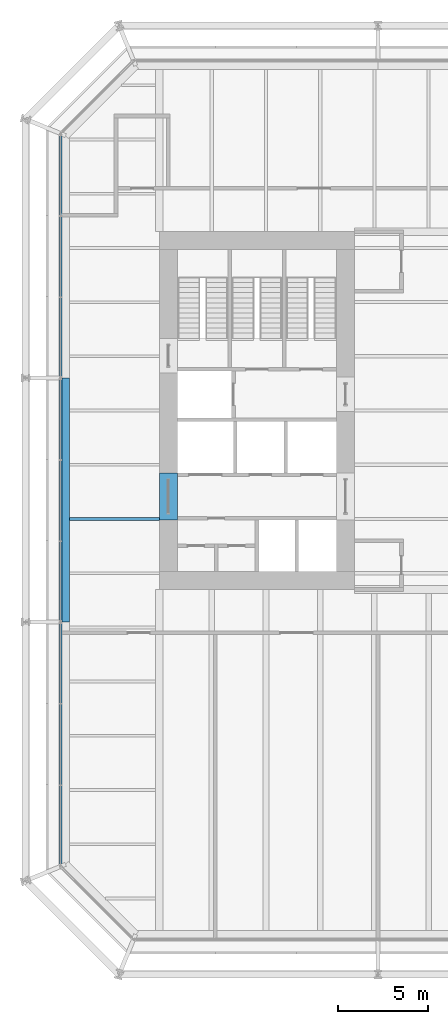
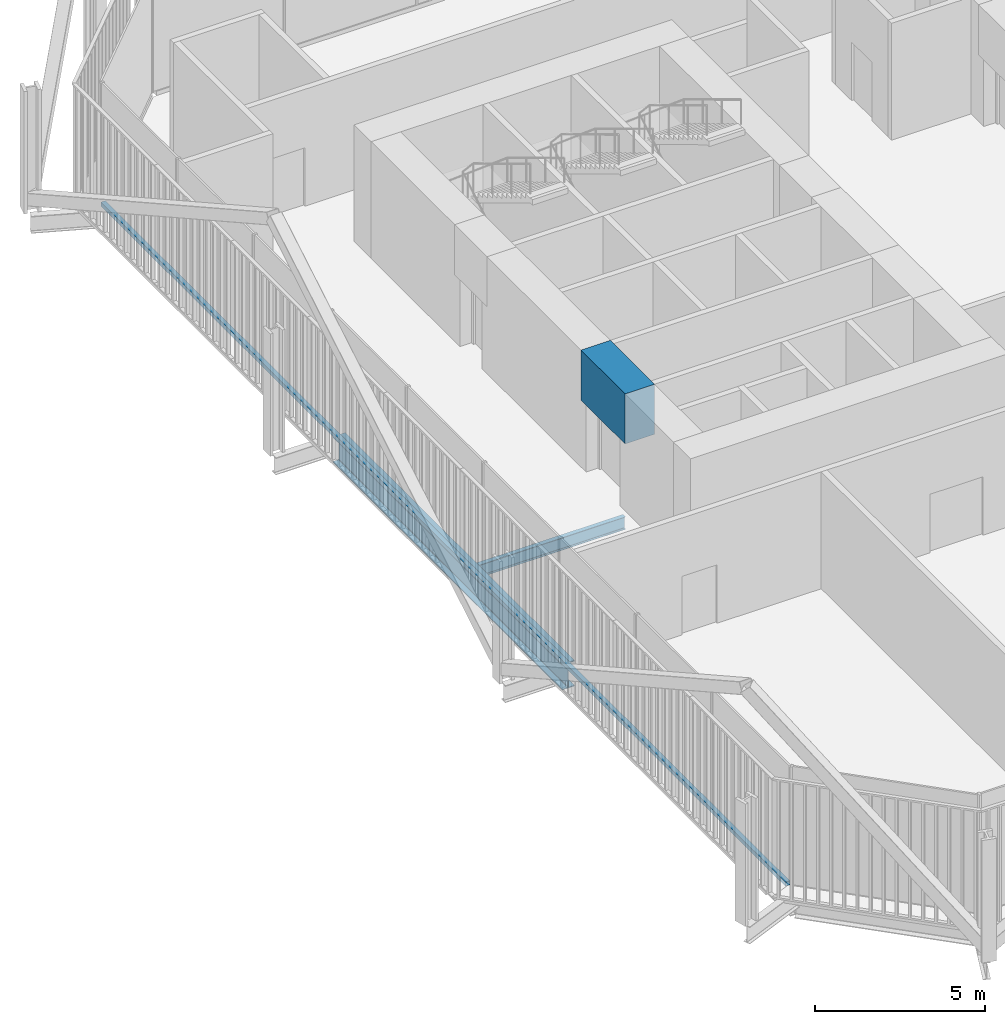
# One storey, part 6 of 21: 3 beams, 1 member, 1 element without a shape of its own.
"""IFC4 building model written with IfcOpenShell, lengths in metres."""

from ifc_helpers import new_model, si_unit, direction, frame, origin, origin_2d, place, context, subcontext, project, spatial, rectangle, i_section, extrude, material, layer, layer_set, material_profile, profile_set, type_object, element, aggregate, save


model = new_model("IFC4")

# Units and contexts
model_context = context("Model", 3, precision=1e-05, world=origin(), true_north=direction((0.0, 1.0)))
body_context = subcontext(model_context, "Body", "Model", "MODEL_VIEW")
ifc_project = project(units=[si_unit("LENGTHUNIT", "METRE"), si_unit("AREAUNIT", "SQUARE_METRE"), si_unit("VOLUMEUNIT", "CUBIC_METRE"), si_unit("PLANEANGLEUNIT", "RADIAN"), si_unit("MASSUNIT", "GRAM", prefix="KILO")], contexts=[model_context])

# Site, building, storey
site_placement = place(None, origin())
site = spatial("IfcSite", under=ifc_project, at=site_placement, CompositionType="ELEMENT")
building_placement = place(site_placement, origin())
building = spatial("IfcBuilding", under=site, at=building_placement, Name="Millrace Tower", CompositionType="ELEMENT")
storey_placement = place(building_placement, frame((0.0, 0.0, 104.0)))
storey = spatial("IfcBuildingStorey", under=building, at=storey_placement, Name="L23", CompositionType="ELEMENT", Elevation=104.0)

# Curtain wall, member
ifc_material_1 = material(Name="Aluminium and glass", Category="aluminium")
ifc_layer = layer(ifc_material_1, 0.14990234375)
ifc_layer_set = layer_set([ifc_layer], Name="Aluminium and glass")
curtain_wall_type = type_object("IfcCurtainWallType", Name="CW-3 telecom floor curtain wall", PredefinedType="NOTDEFINED", material=ifc_layer_set)
curtain_wall_placement = place(storey_placement, origin())
curtain_wall = element("IfcCurtainWall", 1, at=curtain_wall_placement, inside=storey, type_object=curtain_wall_type, Name="Curtain wall B-F08 L23", PredefinedType="NOTDEFINED")
ifc_material_2 = material(Name="Aluminium", Category="aluminium")
ifc_material_profile_1 = material_profile(ifc_material_2, rectangle(XDim=0.14990234375, YDim=0.14990234375, at=origin_2d()))
ifc_profile_set_1 = profile_set([ifc_material_profile_1], Name="Aluminium")
member_type = type_object("IfcMemberType", Name="CW-3 telecom floor curtain wall transom", PredefinedType="USERDEFINED", material=ifc_profile_set_1)
member_placement = place(storey_placement, frame((-20.375, 15.199951171875, 0.074951171875), z_axis=(0.0, -1.0, 0.0), x_axis=(1.0, 0.0, 0.0)))
member = element("IfcMember", 2, at=member_placement, type_object=member_type, Name="CW3 transom B-F08.1", ObjectType="TRANSOM", PredefinedType="USERDEFINED", context=body_context, shape_type="SweptSolid", body=[
    extrude(rectangle(XDim=0.14990234375, YDim=0.14990234375, at=origin_2d()), origin(), (0.0, 0.0, 1.0), 40.300048828125),
])
aggregate(curtain_wall, [member])

# Beams
ifc_material_3 = material(Name="Concrete C80", Category="concrete")
ifc_material_profile_2 = material_profile(ifc_material_3, rectangle(XDim=1.0, YDim=1.800048828125, at=origin_2d()))
ifc_profile_set_2 = profile_set([ifc_material_profile_2], Name="Concrete C80")
beam_type_1 = type_object("IfcBeamType", Name="Coupling beam 1000 x 1800 Concrete C80, 2000 opening", PredefinedType="BEAM", material=ifc_profile_set_2)
beam_1_placement = place(storey_placement, frame((-14.39990234375, -6.050048828125, 3.300048828125), z_axis=(0.0, 1.0, 0.0), x_axis=(-1.0, 0.0, 0.0)))
element("IfcBeam", 3, at=beam_1_placement, inside=storey, type_object=beam_type_1, Name="Coupling beam W L23", PredefinedType="BEAM", context=body_context, shape_type="SweptSolid", body=[
    extrude(rectangle(XDim=1.0, YDim=1.800048828125, at=origin_2d()), origin(), (0.0, 0.0, 1.0), 2.60009765625),
])
ifc_material_4 = material(Name="Steel ASTM A992 Grade 50", Category="steel")
ifc_material_profile_3 = material_profile(ifc_material_4, i_section(OverallWidth=0.15234375, OverallDepth=0.449462890625, WebThickness=0.007568359375, FlangeThickness=0.0107421875, FilletRadius=0.01025390625, at=origin_2d()))
ifc_profile_set_3 = profile_set([ifc_material_profile_3], Name="Steel ASTM A992 Grade 50")
beam_type_2 = type_object("IfcBeamType", Name="Floor beam W18x35", PredefinedType="JOIST", material=ifc_profile_set_3)
beam_2_placement = place(storey_placement, frame((-19.880859375, -6.0, -0.4248046875), z_axis=(1.0, 0.0, 0.0), x_axis=(0.0, 1.0, 0.0)))
element("IfcBeam", 4, at=beam_2_placement, inside=storey, type_object=beam_type_2, Name="BM-B-L23-S1-S017", PredefinedType="JOIST", context=body_context, shape_type="SweptSolid", body=[
    extrude(i_section(OverallWidth=0.15234375, OverallDepth=0.449462890625, WebThickness=0.007568359375, FlangeThickness=0.0107421875, FilletRadius=0.01025390625, at=origin_2d()), origin(), (0.0, 0.0, 1.0), 4.98095703125),
])
ifc_material_5 = material(Name="Steel ASTM A992 Grade 50", Category="steel")
ifc_material_profile_4 = material_profile(ifc_material_5, i_section(OverallWidth=0.419189453125, OverallDepth=0.927001953125, WebThickness=0.019287109375, FlangeThickness=0.031982421875, FilletRadius=0.024169921875, at=origin_2d()))
ifc_profile_set_4 = profile_set([ifc_material_profile_4], Name="Steel ASTM A992 Grade 50")
beam_type_3 = type_object("IfcBeamType", Name="Ring beam medium span W36x231", PredefinedType="SPANDREL", material=ifc_profile_set_4)
beam_3_placement = place(storey_placement, frame((-20.09033203125, -11.699951171875, -0.66357421875), z_axis=(0.0, 1.0, 0.0), x_axis=(-1.0, 0.0, 0.0)))
element("IfcBeam", 5, at=beam_3_placement, inside=storey, type_object=beam_type_3, Name="RNG-B-L23-S1-02", PredefinedType="SPANDREL", context=body_context, shape_type="SweptSolid", body=[
    extrude(i_section(OverallWidth=0.419189453125, OverallDepth=0.927001953125, WebThickness=0.019287109375, FlangeThickness=0.031982421875, FilletRadius=0.024169921875, at=origin_2d()), origin(), (0.0, 0.0, 1.0), 13.5),
])

save(model, "model.ifc")
